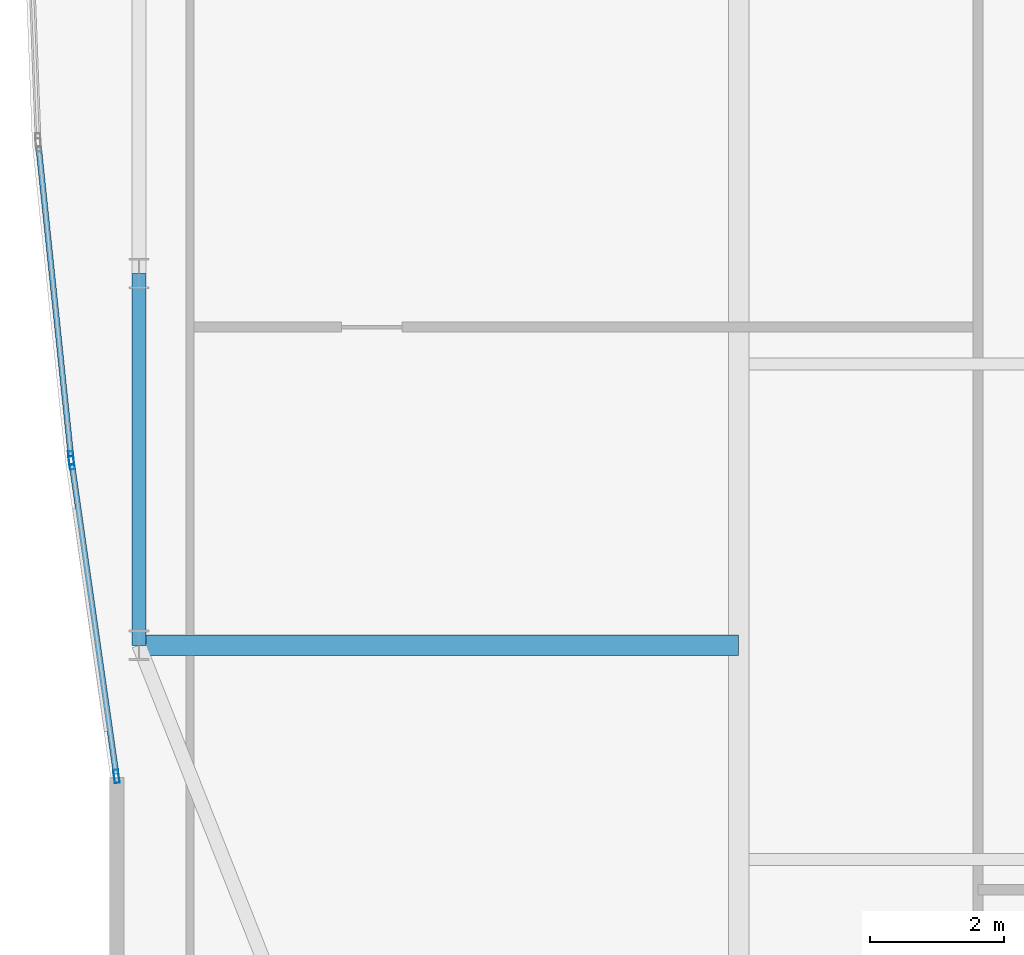
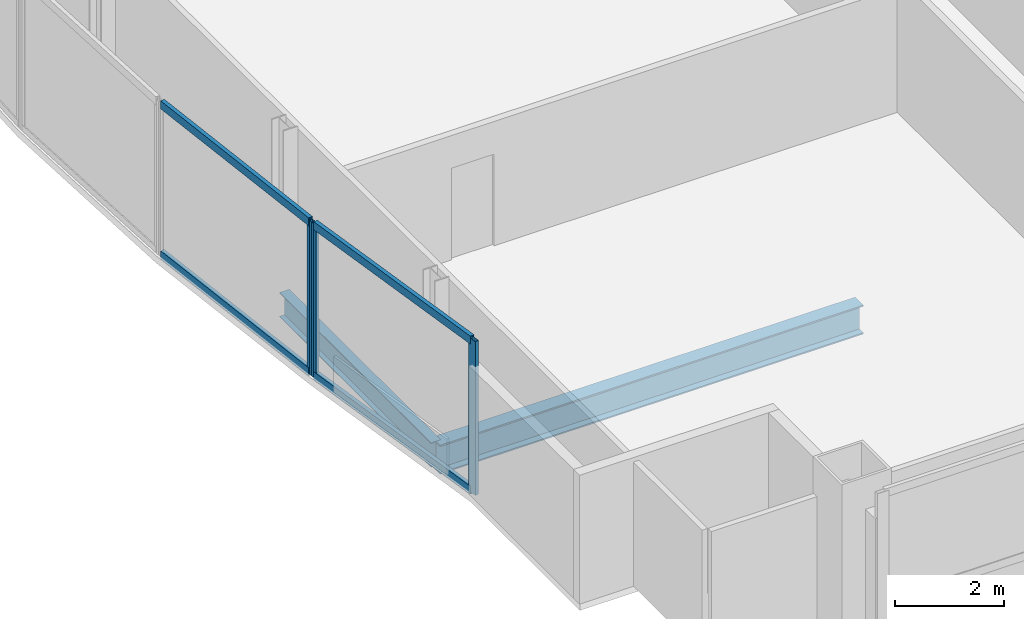
# One storey, part 6 of 30: 7 members, 2 beams, 2 elements without a shape of their own.
"""IFC4 building model written with IfcOpenShell, lengths in metres."""

import ifcopenshell
import ifcopenshell.guid

model = None  # the IFC model being written
_history = None  # IfcOwnerHistory: only IFC2X3 demands one
_inside = {}  # id of a spatial element -> (the spatial element, [elements in it])
_under = {}  # id of a project, library or spatial element -> (it, [spatial elements below it])
_declared = {}  # id of a project -> (the project, [libraries it declares])
_typed = {}  # id of a type object -> (the type object, [elements of that type])
_made_of = {}  # id of a material, layer set ... -> (it, [elements and type objects made of it])


def new_model(schema):
    """Start an empty IFC model of exactly this schema.

    Asked for "IFC4X3", IfcOpenShell would pick the latest addendum, in which some entities
    have other attributes; the version numbers below select the first issue.
    IFC2X3 requires an IfcOwnerHistory on every rooted entity: one is made here for all.
    """
    global model, _history
    if schema == "IFC4X3":
        model = ifcopenshell.file(schema_version=(4, 3, 0, 0))
    else:
        model = ifcopenshell.file(schema=schema)
    _inside.clear()
    _under.clear()
    _declared.clear()
    _typed.clear()
    _made_of.clear()
    _history = None
    if model.schema == "IFC2X3":
        org = make("IfcOrganization", Name="unknown")
        user = make(
            "IfcPersonAndOrganization",
            ThePerson=make("IfcPerson", FamilyName="unknown"),
            TheOrganization=org,
        )
        app = make(
            "IfcApplication",
            ApplicationDeveloper=org,
            Version="unknown",
            ApplicationFullName="unknown",
            ApplicationIdentifier="unknown",
        )
        _history = make(
            "IfcOwnerHistory",
            OwningUser=user,
            OwningApplication=app,
            ChangeAction="ADDED",
            CreationDate=0,
        )
    return model


def make(cls, **values):
    """One entity of the class cls with the attributes given. An attribute that is None is left unset."""
    return model.create_entity(
        cls, **{name: value for name, value in values.items() if value is not None}
    )


def rooted(cls, **values):
    """An entity with a GlobalId (a new one), such as an element, a storey or a relation."""
    return make(cls, GlobalId=ifcopenshell.guid.new(), OwnerHistory=_history, **values)


def si_unit(unit_type, name, prefix=None):
    """IfcSIUnit, for example si_unit("LENGTHUNIT", "METRE", prefix="MILLI")."""
    return make("IfcSIUnit", UnitType=unit_type, Prefix=prefix, Name=name)


def assignment(units):
    """IfcUnitAssignment: the units of a project."""
    return None if units is None else make("IfcUnitAssignment", Units=units)


def point(xyz):
    """IfcCartesianPoint."""
    return None if xyz is None else make("IfcCartesianPoint", Coordinates=xyz)


def direction(xyz):
    """IfcDirection."""
    return None if xyz is None else make("IfcDirection", DirectionRatios=xyz)


def frame(location, z_axis=None, x_axis=None):
    """IfcAxis2Placement3D, a coordinate frame: its origin and axes. An axis left out is left unset."""
    return make(
        "IfcAxis2Placement3D",
        Location=point(location),
        Axis=direction(z_axis),
        RefDirection=direction(x_axis),
    )


def frame_2d(location, x_axis=None):
    """IfcAxis2Placement2D, a coordinate frame in the plane: its origin and x axis."""
    return make(
        "IfcAxis2Placement2D", Location=point(location), RefDirection=direction(x_axis)
    )


def origin():
    """The frame at (0, 0, 0) with its axes left unset."""
    return frame((0.0, 0.0, 0.0))


def origin_2d():
    """The frame at (0, 0) in the plane with its x axis left unset."""
    return frame_2d((0.0, 0.0))


def place(relative_to, where):
    """IfcLocalPlacement: puts the frame where relative to a parent placement (None: the world)."""
    return make(
        "IfcLocalPlacement", PlacementRelTo=relative_to, RelativePlacement=where
    )


def context(
    kind, dimensions, precision=None, world=None, true_north=None, identifier=None
):
    """IfcGeometricRepresentationContext, for example the 3D "Model" context."""
    return make(
        "IfcGeometricRepresentationContext",
        ContextIdentifier=identifier,
        ContextType=kind,
        CoordinateSpaceDimension=dimensions,
        Precision=precision,
        WorldCoordinateSystem=world,
        TrueNorth=true_north,
    )


def subcontext(parent, identifier, kind, view, scale=None):
    """IfcGeometricRepresentationSubContext, for example "Body" below "Model"."""
    return make(
        "IfcGeometricRepresentationSubContext",
        ContextIdentifier=identifier,
        ContextType=kind,
        ParentContext=parent,
        TargetScale=scale,
        TargetView=view,
    )


def project(units=None, contexts=None):
    """IfcProject with its units and contexts."""
    return rooted(
        "IfcProject",
        Name="project",
        RepresentationContexts=contexts,
        UnitsInContext=assignment(units),
    )


def spatial(cls, under=None, at=None, **own):
    """A site, building, storey or space (cls), placed at a placement, below another one or the project."""
    s = rooted(cls, ObjectPlacement=at, **own)
    if under is not None:
        _under.setdefault(under.id(), (under, []))[1].append(s)
    return s


def profile(cls, at=None, kind="AREA", **sizes):
    """A parametric profile (cls). Its sizes go by their IFC names, for example OverallWidth=200.0."""
    return make(cls, ProfileType=kind, Position=at, **sizes)


def hollow_rectangle(**sizes):
    """IfcRectangleHollowProfileDef."""
    return profile("IfcRectangleHollowProfileDef", **sizes)


def i_section(**sizes):
    """IfcIShapeProfileDef."""
    return profile("IfcIShapeProfileDef", **sizes)


def extrude(swept, where, along, depth):
    """IfcExtrudedAreaSolid: the profile swept, set in the frame where, extruded along a direction by depth."""
    return make(
        "IfcExtrudedAreaSolid",
        SweptArea=swept,
        Position=where,
        ExtrudedDirection=direction(along),
        Depth=depth,
    )


def shape(context_of_items, identifier, shape_type, items):
    """IfcShapeRepresentation: the items that make up one representation, for example the "Body"."""
    return make(
        "IfcShapeRepresentation",
        ContextOfItems=context_of_items,
        RepresentationIdentifier=identifier,
        RepresentationType=shape_type,
        Items=items,
    )


def material(Name=None, Category=None):
    """IfcMaterial."""
    return make("IfcMaterial", Name=Name, Category=Category)


def material_profile(
    of_material, cross_section, Name=None, Category=None, Priority=None
):
    """IfcMaterialProfile: a cross section and its material."""
    return make(
        "IfcMaterialProfile",
        Name=Name,
        Material=of_material,
        Profile=cross_section,
        Priority=Priority,
        Category=Category,
    )


def profile_set(profiles, Name=None, composite=None):
    """IfcMaterialProfileSet."""
    return make(
        "IfcMaterialProfileSet",
        Name=Name,
        MaterialProfiles=profiles,
        CompositeProfile=composite,
    )


def made_of(thing, what):
    """Note that an element or type object is made of a material, layer set ...; save() writes the relation."""
    if what is not None:
        _made_of.setdefault(what.id(), (what, []))[1].append(thing)
    return thing


def type_object(cls, material=None, **own):
    """A type object (cls), such as IfcWallType, which elements share."""
    return made_of(rooted(cls, **own), material)


def element(
    cls,
    number,
    at=None,
    inside=None,
    cuts=None,
    type_object=None,
    material=None,
    context=None,
    identifier="Body",
    shape_type=None,
    held_by="IfcProductDefinitionShape",
    body=None,
    shapes=None,
    **own,
):
    """One element of the class cls, such as IfcWall. Its Tag is "e" and its number.

    at: its placement. inside: the storey or other place that contains it. cuts: it is an
    opening in that element (IfcRelVoidsElement). A single representation is given by context,
    identifier, shape_type and body (its items); several are given by shapes. held_by: the class
    of the entity that holds the representations. save() writes the other relations.
    """
    e = rooted(cls, Tag="e%d" % number, ObjectPlacement=at, **own)
    if body is not None:
        shapes = [shape(context, identifier, shape_type, body)]
    if shapes is not None:
        e.Representation = make(held_by, Representations=shapes)
    if inside is not None:
        _inside.setdefault(inside.id(), (inside, []))[1].append(e)
    if cuts is not None:
        rooted(
            "IfcRelVoidsElement", RelatingBuildingElement=cuts, RelatedOpeningElement=e
        )
    if type_object is not None:
        _typed.setdefault(type_object.id(), (type_object, []))[1].append(e)
    return made_of(e, material)


def aggregate(whole, parts):
    """IfcRelAggregates: a whole, such as a stair, and the parts it consists of."""
    return rooted("IfcRelAggregates", RelatingObject=whole, RelatedObjects=parts)


def save(model, path):
    """Write the relations noted so far, then the file.

    IfcRelAggregates (storeys below a building ...), IfcRelContainedInSpatialStructure (elements
    in a storey), IfcRelDefinesByType, IfcRelAssociatesMaterial and IfcRelDeclares: one each for
    every whole, place, type object, material and project.
    """
    for whole, parts in _under.values():
        aggregate(whole, parts)
    for where, things in _inside.values():
        rooted(
            "IfcRelContainedInSpatialStructure",
            RelatedElements=things,
            RelatingStructure=where,
        )
    for kind, things in _typed.values():
        rooted("IfcRelDefinesByType", RelatedObjects=things, RelatingType=kind)
    for what, things in _made_of.values():
        rooted("IfcRelAssociatesMaterial", RelatedObjects=things, RelatingMaterial=what)
    for by, libraries in _declared.values():
        rooted("IfcRelDeclares", RelatingContext=by, RelatedDefinitions=libraries)
    model.write(path)


model = new_model("IFC4")

# Units and contexts
model_context = context("Model", 3, precision=1e-05, world=origin(), true_north=direction((0.0, 1.0)))
body_context = subcontext(model_context, "Body", "Model", "MODEL_VIEW")
ifc_project = project(units=[si_unit("LENGTHUNIT", "METRE"), si_unit("AREAUNIT", "SQUARE_METRE"), si_unit("VOLUMEUNIT", "CUBIC_METRE"), si_unit("PLANEANGLEUNIT", "RADIAN"), si_unit("MASSUNIT", "GRAM", prefix="KILO")], contexts=[model_context])

# Site, building, storey
site_placement = place(None, origin())
site = spatial("IfcSite", under=ifc_project, at=site_placement, CompositionType="ELEMENT")
building_placement = place(site_placement, origin())
building = spatial("IfcBuilding", under=site, at=building_placement, Name="Khoronbel Lancet Exchange", CompositionType="ELEMENT")
storey_placement = place(building_placement, frame((0.0, 0.0, 280.60009765625)))
storey = spatial("IfcBuildingStorey", under=building, at=storey_placement, Name="L72", CompositionType="ELEMENT", Elevation=280.60009765625)

# Beams
ifc_material_1 = material(Name="Steel S355", Category="steel")
ifc_material_profile_1 = material_profile(ifc_material_1, i_section(OverallWidth=0.300048828125, OverallDepth=0.64990234375, WebThickness=0.01611328125, FlangeThickness=0.031005859375, at=origin_2d()), Name="HEB 650")
ifc_profile_set_1 = profile_set([ifc_material_profile_1], Name="Steel S355")
beam_type_1 = type_object("IfcBeamType", Name="BM-BG4", PredefinedType="BEAM", material=ifc_profile_set_1)
beam_1_placement = place(storey_placement, frame((9.27001953125, 19.199951171875, -0.485107421875), z_axis=(1.0, 0.0, 0.0), x_axis=(0.0, 1.0, 0.0)))
element("IfcBeam", 1, at=beam_1_placement, inside=storey, type_object=beam_type_1, Name="Level L72 west lens tie girder LG1W", PredefinedType="BEAM", context=body_context, shape_type="SweptSolid", body=[
    extrude(i_section(OverallWidth=0.300048828125, OverallDepth=0.64990234375, WebThickness=0.01611328125, FlangeThickness=0.031005859375, at=origin_2d()), origin(), (0.0, 0.0, 1.0), 8.955078125),
])
ifc_material_profile_2 = material_profile(ifc_material_1, i_section(OverallWidth=0.2099609375, OverallDepth=0.550048828125, WebThickness=0.010986328125, FlangeThickness=0.01708984375, at=origin_2d()), Name="IPE 550")
ifc_profile_set_2 = profile_set([ifc_material_profile_2], Name="Steel S355")
beam_type_2 = type_object("IfcBeamType", Name="BM-BSP3", PredefinedType="SPANDREL", material=ifc_profile_set_2)
beam_2_placement = place(storey_placement, frame((9.27001953125, 24.75, -0.43505859375), z_axis=(0.0, -1.0, 0.0), x_axis=(1.0, 0.0, 0.0)))
element("IfcBeam", 2, at=beam_2_placement, inside=storey, type_object=beam_type_2, Name="Level L72 perimeter spandrel beam SP20", PredefinedType="SPANDREL", context=body_context, shape_type="SweptSolid", body=[
    extrude(i_section(OverallWidth=0.2099609375, OverallDepth=0.550048828125, WebThickness=0.010986328125, FlangeThickness=0.01708984375, at=origin_2d()), origin(), (0.0, 0.0, 1.0), 5.550048828125),
])

# Curtain wall, members
ifc_material_2 = material(Name="Low-E Solar Control Insulating Glass", Category="glass")
curtain_wall_type = type_object("IfcCurtainWallType", Name="CW-4", PredefinedType="NOTDEFINED", material=ifc_material_2)
curtain_wall_1_placement = place(storey_placement, origin())
curtain_wall_1 = element("IfcCurtainWall", 3, at=curtain_wall_1_placement, inside=storey, type_object=curtain_wall_type, Name="Unitised curtain wall CW-L72-E04", PredefinedType="NOTDEFINED")
ifc_material_3 = material(Name="Bronze-Anodised Aluminium 6063-T6", Category="aluminium")
ifc_material_profile_3 = material_profile(ifc_material_3, hollow_rectangle(XDim=0.074951171875, YDim=0.199951171875, WallThickness=0.0048828125, at=origin_2d()), Name="ALU MULLION 75x200")
ifc_profile_set_3 = profile_set([ifc_material_profile_3], Name="Bronze-Anodised Aluminium 6063-T6")
member_type_1 = type_object("IfcMemberType", Name="MEM-CWM2", PredefinedType="MULLION", material=ifc_profile_set_3)
member_1_placement = place(storey_placement, frame((8.934814453125, 17.243408203125, 0.0), z_axis=(0.0, 0.0, 1.0), x_axis=(-0.989973632032, -0.141252284521, 0.0)))
member_1 = element("IfcMember", 4, at=member_1_placement, type_object=member_type_1, Name="CW4 mullion 1", PredefinedType="MULLION", context=body_context, shape_type="SweptSolid", body=[
    extrude(hollow_rectangle(XDim=0.074951171875, YDim=0.199951171875, WallThickness=0.0048828125, at=origin_2d()), origin(), (0.0, 0.0, 1.0), 3.43994140625),
])
member_2_placement = place(storey_placement, frame((8.266845703125, 21.923828125, 0.0), z_axis=(0.0, 0.0, 1.0), x_axis=(-0.989973632032, -0.141252284521, 0.0)))
member_2 = element("IfcMember", 5, at=member_2_placement, type_object=member_type_1, Name="CW4 mullion 2", PredefinedType="MULLION", context=body_context, shape_type="SweptSolid", body=[
    extrude(hollow_rectangle(XDim=0.074951171875, YDim=0.199951171875, WallThickness=0.0048828125, at=origin_2d()), origin(), (0.0, 0.0, 1.0), 3.43994140625),
])

# Curtain wall, member
curtain_wall_2_placement = place(storey_placement, origin())
curtain_wall_2 = element("IfcCurtainWall", 6, at=curtain_wall_2_placement, inside=storey, type_object=curtain_wall_type, Name="Unitised curtain wall CW-L72-E05", PredefinedType="NOTDEFINED")
member_3_placement = place(storey_placement, frame((8.2578125, 21.998291015625, 0.0), z_axis=(0.0, 0.0, 1.0), x_axis=(-0.994590565659, -0.103873031641, 0.0)))
member_3 = element("IfcMember", 7, at=member_3_placement, type_object=member_type_1, Name="CW4 mullion 1", PredefinedType="MULLION", context=body_context, shape_type="SweptSolid", body=[
    extrude(hollow_rectangle(XDim=0.074951171875, YDim=0.199951171875, WallThickness=0.0048828125, at=origin_2d()), origin(), (0.0, 0.0, 1.0), 3.43994140625),
])

# Member
ifc_material_profile_4 = material_profile(ifc_material_3, hollow_rectangle(XDim=0.0849609375, YDim=0.179931640625, WallThickness=0.0048828125, at=origin_2d()), Name="ALU TRANSOM 85x180")
ifc_profile_set_4 = profile_set([ifc_material_profile_4], Name="Bronze-Anodised Aluminium 6063-T6")
member_type_2 = type_object("IfcMemberType", Name="MEM-CWT1", PredefinedType="USERDEFINED", material=ifc_profile_set_4)
member_4_placement = place(storey_placement, frame((8.929443359375, 17.28076171875, 0.04248046875), z_axis=(-0.141259734745, 0.989972568983, 0.0), x_axis=(-0.989972568983, -0.141259734745, 0.0)))
member_4 = element("IfcMember", 8, at=member_4_placement, type_object=member_type_2, Name="CW4 transom 1.1", ObjectType="TRANSOM", PredefinedType="USERDEFINED", context=body_context, shape_type="SweptSolid", body=[
    extrude(hollow_rectangle(XDim=0.0849609375, YDim=0.179931640625, WallThickness=0.0048828125, at=origin_2d()), origin(), (0.0, 0.0, 1.0), 4.652587890625),
])

member_5_placement = place(storey_placement, frame((8.929443359375, 17.28076171875, 3.3974609375), z_axis=(-0.141259734745, 0.989972568983, 0.0), x_axis=(-0.989972568983, -0.141259734745, 0.0)))
member_5 = element("IfcMember", 9, at=member_5_placement, type_object=member_type_2, Name="CW4 transom 1.2", ObjectType="TRANSOM", PredefinedType="USERDEFINED", context=body_context, shape_type="SweptSolid", body=[
    extrude(hollow_rectangle(XDim=0.0849609375, YDim=0.179931640625, WallThickness=0.0048828125, at=origin_2d()), origin(), (0.0, 0.0, 1.0), 4.652587890625),
])

aggregate(curtain_wall_1, [member_1, member_2, member_4, member_5])

member_6_placement = place(storey_placement, frame((8.25390625, 22.03564453125, 0.04248046875), z_axis=(-0.103917481639, 0.994585922387, 0.0), x_axis=(-0.994585922387, -0.103917481639, 0.0)))
member_6 = element("IfcMember", 10, at=member_6_placement, type_object=member_type_2, Name="CW4 transom 1.1", ObjectType="TRANSOM", PredefinedType="USERDEFINED", context=body_context, shape_type="SweptSolid", body=[
    extrude(hollow_rectangle(XDim=0.0849609375, YDim=0.179931640625, WallThickness=0.0048828125, at=origin_2d()), origin(), (0.0, 0.0, 1.0), 4.62109375),
])

member_7_placement = place(storey_placement, frame((8.25390625, 22.03564453125, 3.3974609375), z_axis=(-0.103917481639, 0.994585922387, 0.0), x_axis=(-0.994585922387, -0.103917481639, 0.0)))
member_7 = element("IfcMember", 11, at=member_7_placement, type_object=member_type_2, Name="CW4 transom 1.2", ObjectType="TRANSOM", PredefinedType="USERDEFINED", context=body_context, shape_type="SweptSolid", body=[
    extrude(hollow_rectangle(XDim=0.0849609375, YDim=0.179931640625, WallThickness=0.0048828125, at=origin_2d()), origin(), (0.0, 0.0, 1.0), 4.62109375),
])

aggregate(curtain_wall_2, [member_3, member_6, member_7])

save(model, "model.ifc")
